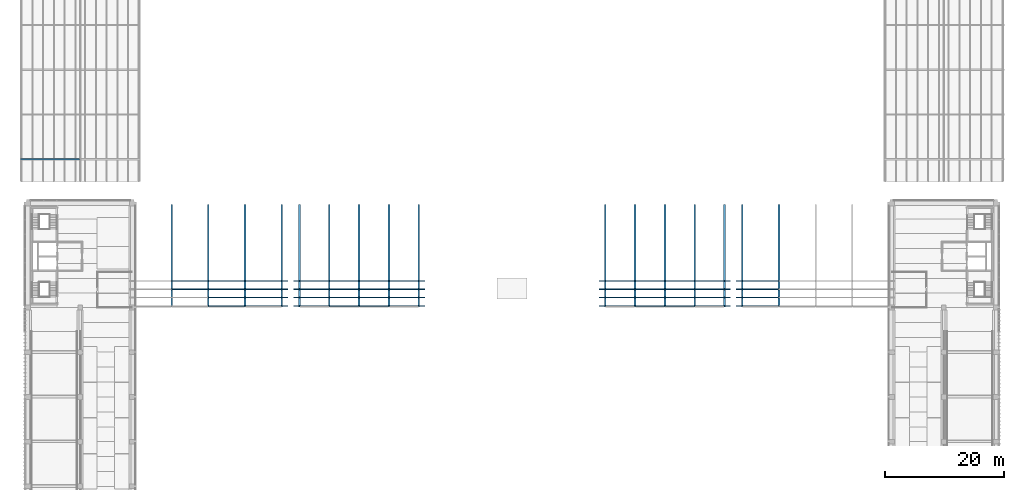
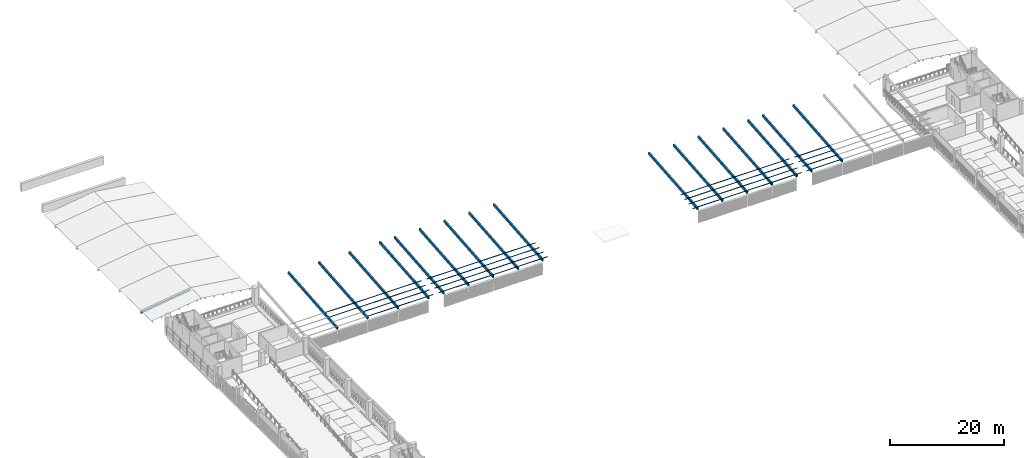
# One storey, part 6 of 52: 63 members.
"""IFC4 building model written with IfcOpenShell, lengths in metres."""

from ifc_helpers import new_model, si_unit, direction, frame, origin, origin_2d, place, context, subcontext, project, spatial, hollow_rectangle, extrude, material, material_profile, profile_set, type_object, element, save


model = new_model("IFC4")

# Units and contexts
model_context = context("Model", 3, precision=1e-05, world=origin(), true_north=direction((0.0, 1.0)))
body_context = subcontext(model_context, "Body", "Model", "MODEL_VIEW")
ifc_project = project(units=[si_unit("LENGTHUNIT", "METRE"), si_unit("AREAUNIT", "SQUARE_METRE"), si_unit("VOLUMEUNIT", "CUBIC_METRE"), si_unit("PLANEANGLEUNIT", "RADIAN"), si_unit("MASSUNIT", "GRAM", prefix="KILO")], contexts=[model_context])

# Site, building, storey
site_placement = place(None, origin())
site = spatial("IfcSite", under=ifc_project, at=site_placement, CompositionType="ELEMENT")
building_placement = place(site_placement, origin())
building = spatial("IfcBuilding", under=site, at=building_placement, Name="Cour d'Honneur Mobility Palace", CompositionType="ELEMENT")
storey_placement = place(building_placement, frame((0.0, 0.0, 23.0)))
storey = spatial("IfcBuildingStorey", under=building, at=storey_placement, Name="L06", CompositionType="ELEMENT", Elevation=23.0)

# Members
ifc_material_1 = material(Name="Steel S355", Category="steel")
ifc_material_profile_1 = material_profile(ifc_material_1, hollow_rectangle(XDim=0.10009765625, YDim=0.14990234375, WallThickness=0.00634765625, at=origin_2d()), Name="RHS 150x100x6.3")
ifc_profile_set_1 = profile_set([ifc_material_profile_1], Name="Steel S355")
member_type_1 = type_object("IfcMemberType", Name="Pergola purlin RHS 150x100x6.3", PredefinedType="PURLIN", material=ifc_profile_set_1)
member_1_placement = place(storey_placement, frame((30.199951171875, 45.2548828125, 3.388671875), z_axis=(1.0, 0.0, 0.0), x_axis=(0.0, 0.996196869991, 0.08713091426)))
element("IfcMember", 1, at=member_1_placement, inside=storey, type_object=member_type_1, Name="Pergola purlin FW-1.3", PredefinedType="PURLIN", context=body_context, shape_type="SweptSolid", body=[
    extrude(hollow_rectangle(XDim=0.10009765625, YDim=0.14990234375, WallThickness=0.00634765625, at=origin_2d()), origin(), (0.0, 0.0, 1.0), 6.150146484375),
])
member_2_placement = place(storey_placement, frame((36.35009765625, 45.2548828125, 3.388671875), z_axis=(1.0, 0.0, 0.0), x_axis=(0.0, 0.996196869991, 0.08713091426)))
element("IfcMember", 2, at=member_2_placement, inside=storey, type_object=member_type_1, Name="Pergola purlin FW-1.4", PredefinedType="PURLIN", context=body_context, shape_type="SweptSolid", body=[
    extrude(hollow_rectangle(XDim=0.10009765625, YDim=0.14990234375, WallThickness=0.00634765625, at=origin_2d()), origin(), (0.0, 0.0, 1.0), 7.14990234375),
])
member_3_placement = place(storey_placement, frame((30.199951171875, 46.66259765625, 3.51171875), z_axis=(1.0, 0.0, 0.0), x_axis=(0.0, 0.996196869991, 0.08713091426)))
element("IfcMember", 3, at=member_3_placement, inside=storey, type_object=member_type_1, Name="Pergola purlin FW-2.3", PredefinedType="PURLIN", context=body_context, shape_type="SweptSolid", body=[
    extrude(hollow_rectangle(XDim=0.10009765625, YDim=0.14990234375, WallThickness=0.00634765625, at=origin_2d()), origin(), (0.0, 0.0, 1.0), 6.150146484375),
])
member_4_placement = place(storey_placement, frame((36.35009765625, 46.66259765625, 3.51171875), z_axis=(1.0, 0.0, 0.0), x_axis=(0.0, 0.996196869991, 0.08713091426)))
element("IfcMember", 4, at=member_4_placement, inside=storey, type_object=member_type_1, Name="Pergola purlin FW-2.4", PredefinedType="PURLIN", context=body_context, shape_type="SweptSolid", body=[
    extrude(hollow_rectangle(XDim=0.10009765625, YDim=0.14990234375, WallThickness=0.00634765625, at=origin_2d()), origin(), (0.0, 0.0, 1.0), 7.14990234375),
])
member_5_placement = place(storey_placement, frame((24.050048828125, 48.070068359375, 3.634765625), z_axis=(1.0, 0.0, 0.0), x_axis=(0.0, 0.996196869991, 0.08713091426)))
element("IfcMember", 5, at=member_5_placement, inside=storey, type_object=member_type_1, Name="Pergola purlin FW-3.2", PredefinedType="PURLIN", context=body_context, shape_type="SweptSolid", body=[
    extrude(hollow_rectangle(XDim=0.10009765625, YDim=0.14990234375, WallThickness=0.00634765625, at=origin_2d()), origin(), (0.0, 0.0, 1.0), 6.14990234375),
])
member_6_placement = place(storey_placement, frame((30.199951171875, 48.070068359375, 3.634765625), z_axis=(1.0, 0.0, 0.0), x_axis=(0.0, 0.996196869991, 0.08713091426)))
element("IfcMember", 6, at=member_6_placement, inside=storey, type_object=member_type_1, Name="Pergola purlin FW-3.3", PredefinedType="PURLIN", context=body_context, shape_type="SweptSolid", body=[
    extrude(hollow_rectangle(XDim=0.10009765625, YDim=0.14990234375, WallThickness=0.00634765625, at=origin_2d()), origin(), (0.0, 0.0, 1.0), 6.150146484375),
])
member_7_placement = place(storey_placement, frame((36.35009765625, 48.070068359375, 3.634765625), z_axis=(1.0, 0.0, 0.0), x_axis=(0.0, 0.996196869991, 0.08713091426)))
element("IfcMember", 7, at=member_7_placement, inside=storey, type_object=member_type_1, Name="Pergola purlin FW-3.4", PredefinedType="PURLIN", context=body_context, shape_type="SweptSolid", body=[
    extrude(hollow_rectangle(XDim=0.10009765625, YDim=0.14990234375, WallThickness=0.00634765625, at=origin_2d()), origin(), (0.0, 0.0, 1.0), 7.14990234375),
])
member_8_placement = place(storey_placement, frame((24.050048828125, 49.4775390625, 3.7578125), z_axis=(1.0, 0.0, 0.0), x_axis=(0.0, 0.996196869991, 0.08713091426)))
element("IfcMember", 8, at=member_8_placement, inside=storey, type_object=member_type_1, Name="Pergola purlin FW-4.2", PredefinedType="PURLIN", context=body_context, shape_type="SweptSolid", body=[
    extrude(hollow_rectangle(XDim=0.10009765625, YDim=0.14990234375, WallThickness=0.00634765625, at=origin_2d()), origin(), (0.0, 0.0, 1.0), 6.14990234375),
])
member_9_placement = place(storey_placement, frame((30.199951171875, 49.4775390625, 3.7578125), z_axis=(1.0, 0.0, 0.0), x_axis=(0.0, 0.996196869991, 0.08713091426)))
element("IfcMember", 9, at=member_9_placement, inside=storey, type_object=member_type_1, Name="Pergola purlin FW-4.3", PredefinedType="PURLIN", context=body_context, shape_type="SweptSolid", body=[
    extrude(hollow_rectangle(XDim=0.10009765625, YDim=0.14990234375, WallThickness=0.00634765625, at=origin_2d()), origin(), (0.0, 0.0, 1.0), 6.150146484375),
])
member_10_placement = place(storey_placement, frame((36.35009765625, 49.4775390625, 3.7578125), z_axis=(1.0, 0.0, 0.0), x_axis=(0.0, 0.996196869991, 0.08713091426)))
element("IfcMember", 10, at=member_10_placement, inside=storey, type_object=member_type_1, Name="Pergola purlin FW-4.4", PredefinedType="PURLIN", context=body_context, shape_type="SweptSolid", body=[
    extrude(hollow_rectangle(XDim=0.10009765625, YDim=0.14990234375, WallThickness=0.00634765625, at=origin_2d()), origin(), (0.0, 0.0, 1.0), 7.14990234375),
])
member_11_placement = place(storey_placement, frame((44.5, 45.2548828125, 3.388671875), z_axis=(1.0, 0.0, 0.0), x_axis=(0.0, 0.996196869991, 0.08713091426)))
element("IfcMember", 11, at=member_11_placement, inside=storey, type_object=member_type_1, Name="Pergola purlin PW-1.1", PredefinedType="PURLIN", context=body_context, shape_type="SweptSolid", body=[
    extrude(hollow_rectangle(XDim=0.10009765625, YDim=0.14990234375, WallThickness=0.00634765625, at=origin_2d()), origin(), (0.0, 0.0, 1.0), 6.0),
])
for number, where, z_axis, x_axis, name in (
    (12, (50.5, 45.2548828125, 3.388671875), (1.0, 0.0, 0.0), (0.0, 0.996196869991, 0.08713091426), "Pergola purlin PW-1.2"),
    (13, (55.5, 45.2548828125, 3.388671875), (1.0, 0.0, 0.0), (0.0, 0.996196869991, 0.08713091426), "Pergola purlin PW-1.3"),
):
    element("IfcMember", number, at=place(storey_placement, frame(where, z_axis=z_axis, x_axis=x_axis)), inside=storey, type_object=member_type_1, Name=name, PredefinedType="PURLIN", context=body_context, shape_type="SweptSolid", body=[
        extrude(hollow_rectangle(XDim=0.10009765625, YDim=0.14990234375, WallThickness=0.00634765625, at=origin_2d()), origin(), (0.0, 0.0, 1.0), 5.0),
    ])
for number, where, z_axis, x_axis, name in (
    (14, (60.5, 45.2548828125, 3.388671875), (1.0, 0.0, 0.0), (0.0, 0.996196869991, 0.08713091426), "Pergola purlin PW-1.4"),
    (15, (44.5, 46.66259765625, 3.51171875), (1.0, 0.0, 0.0), (0.0, 0.996196869991, 0.08713091426), "Pergola purlin PW-2.1"),
):
    element("IfcMember", number, at=place(storey_placement, frame(where, z_axis=z_axis, x_axis=x_axis)), inside=storey, type_object=member_type_1, Name=name, PredefinedType="PURLIN", context=body_context, shape_type="SweptSolid", body=[
        extrude(hollow_rectangle(XDim=0.10009765625, YDim=0.14990234375, WallThickness=0.00634765625, at=origin_2d()), origin(), (0.0, 0.0, 1.0), 6.0),
    ])
for number, where, z_axis, x_axis, name in (
    (16, (50.5, 46.66259765625, 3.51171875), (1.0, 0.0, 0.0), (0.0, 0.996196869991, 0.08713091426), "Pergola purlin PW-2.2"),
    (17, (55.5, 46.66259765625, 3.51171875), (1.0, 0.0, 0.0), (0.0, 0.996196869991, 0.08713091426), "Pergola purlin PW-2.3"),
):
    element("IfcMember", number, at=place(storey_placement, frame(where, z_axis=z_axis, x_axis=x_axis)), inside=storey, type_object=member_type_1, Name=name, PredefinedType="PURLIN", context=body_context, shape_type="SweptSolid", body=[
        extrude(hollow_rectangle(XDim=0.10009765625, YDim=0.14990234375, WallThickness=0.00634765625, at=origin_2d()), origin(), (0.0, 0.0, 1.0), 5.0),
    ])
for number, where, z_axis, x_axis, name in (
    (18, (60.5, 46.66259765625, 3.51171875), (1.0, 0.0, 0.0), (0.0, 0.996196869991, 0.08713091426), "Pergola purlin PW-2.4"),
    (19, (44.5, 48.070068359375, 3.634765625), (1.0, 0.0, 0.0), (0.0, 0.996196869991, 0.08713091426), "Pergola purlin PW-3.1"),
):
    element("IfcMember", number, at=place(storey_placement, frame(where, z_axis=z_axis, x_axis=x_axis)), inside=storey, type_object=member_type_1, Name=name, PredefinedType="PURLIN", context=body_context, shape_type="SweptSolid", body=[
        extrude(hollow_rectangle(XDim=0.10009765625, YDim=0.14990234375, WallThickness=0.00634765625, at=origin_2d()), origin(), (0.0, 0.0, 1.0), 6.0),
    ])
for number, where, z_axis, x_axis, name in (
    (20, (50.5, 48.070068359375, 3.634765625), (1.0, 0.0, 0.0), (0.0, 0.996196869991, 0.08713091426), "Pergola purlin PW-3.2"),
    (21, (55.5, 48.070068359375, 3.634765625), (1.0, 0.0, 0.0), (0.0, 0.996196869991, 0.08713091426), "Pergola purlin PW-3.3"),
):
    element("IfcMember", number, at=place(storey_placement, frame(where, z_axis=z_axis, x_axis=x_axis)), inside=storey, type_object=member_type_1, Name=name, PredefinedType="PURLIN", context=body_context, shape_type="SweptSolid", body=[
        extrude(hollow_rectangle(XDim=0.10009765625, YDim=0.14990234375, WallThickness=0.00634765625, at=origin_2d()), origin(), (0.0, 0.0, 1.0), 5.0),
    ])
for number, where, z_axis, x_axis, name in (
    (22, (60.5, 48.070068359375, 3.634765625), (1.0, 0.0, 0.0), (0.0, 0.996196869991, 0.08713091426), "Pergola purlin PW-3.4"),
    (23, (44.5, 49.4775390625, 3.7578125), (1.0, 0.0, 0.0), (0.0, 0.996196869991, 0.08713091426), "Pergola purlin PW-4.1"),
):
    element("IfcMember", number, at=place(storey_placement, frame(where, z_axis=z_axis, x_axis=x_axis)), inside=storey, type_object=member_type_1, Name=name, PredefinedType="PURLIN", context=body_context, shape_type="SweptSolid", body=[
        extrude(hollow_rectangle(XDim=0.10009765625, YDim=0.14990234375, WallThickness=0.00634765625, at=origin_2d()), origin(), (0.0, 0.0, 1.0), 6.0),
    ])
for number, where, z_axis, x_axis, name in (
    (24, (50.5, 49.4775390625, 3.7578125), (1.0, 0.0, 0.0), (0.0, 0.996196869991, 0.08713091426), "Pergola purlin PW-4.2"),
    (25, (55.5, 49.4775390625, 3.7578125), (1.0, 0.0, 0.0), (0.0, 0.996196869991, 0.08713091426), "Pergola purlin PW-4.3"),
):
    element("IfcMember", number, at=place(storey_placement, frame(where, z_axis=z_axis, x_axis=x_axis)), inside=storey, type_object=member_type_1, Name=name, PredefinedType="PURLIN", context=body_context, shape_type="SweptSolid", body=[
        extrude(hollow_rectangle(XDim=0.10009765625, YDim=0.14990234375, WallThickness=0.00634765625, at=origin_2d()), origin(), (0.0, 0.0, 1.0), 5.0),
    ])
member_12_placement = place(storey_placement, frame((60.5, 49.4775390625, 3.7578125), z_axis=(1.0, 0.0, 0.0), x_axis=(0.0, 0.996196869991, 0.08713091426)))
element("IfcMember", 26, at=member_12_placement, inside=storey, type_object=member_type_1, Name="Pergola purlin PW-4.4", PredefinedType="PURLIN", context=body_context, shape_type="SweptSolid", body=[
    extrude(hollow_rectangle(XDim=0.10009765625, YDim=0.14990234375, WallThickness=0.00634765625, at=origin_2d()), origin(), (0.0, 0.0, 1.0), 6.0),
])
for number, where, z_axis, x_axis, name in (
    (27, (118.800048828125, 45.2548828125, 3.388671875), (1.0, 0.0, 0.0), (0.0, 0.996196869991, 0.08713091426), "Pergola purlin FE-1.1"),
    (28, (118.800048828125, 46.66259765625, 3.51171875), (1.0, 0.0, 0.0), (0.0, 0.996196869991, 0.08713091426), "Pergola purlin FE-2.1"),
    (29, (118.800048828125, 48.070068359375, 3.634765625), (1.0, 0.0, 0.0), (0.0, 0.996196869991, 0.08713091426), "Pergola purlin FE-3.1"),
    (30, (118.800048828125, 49.4775390625, 3.7578125), (1.0, 0.0, 0.0), (0.0, 0.996196869991, 0.08713091426), "Pergola purlin FE-4.1"),
):
    element("IfcMember", number, at=place(storey_placement, frame(where, z_axis=z_axis, x_axis=x_axis)), inside=storey, type_object=member_type_1, Name=name, PredefinedType="PURLIN", context=body_context, shape_type="SweptSolid", body=[
        extrude(hollow_rectangle(XDim=0.10009765625, YDim=0.14990234375, WallThickness=0.00634765625, at=origin_2d()), origin(), (0.0, 0.0, 1.0), 7.14990234375),
    ])
member_13_placement = place(storey_placement, frame((95.800048828125, 45.2548828125, 3.388671875), z_axis=(1.0, 0.0, 0.0), x_axis=(0.0, 0.996196869991, 0.08713091426)))
element("IfcMember", 31, at=member_13_placement, inside=storey, type_object=member_type_1, Name="Pergola purlin PE-1.1", PredefinedType="PURLIN", context=body_context, shape_type="SweptSolid", body=[
    extrude(hollow_rectangle(XDim=0.10009765625, YDim=0.14990234375, WallThickness=0.00634765625, at=origin_2d()), origin(), (0.0, 0.0, 1.0), 6.0),
])
for number, where, z_axis, x_axis, name in (
    (32, (101.800048828125, 45.2548828125, 3.388671875), (1.0, 0.0, 0.0), (0.0, 0.996196869991, 0.08713091426), "Pergola purlin PE-1.2"),
    (33, (106.800048828125, 45.2548828125, 3.388671875), (1.0, 0.0, 0.0), (0.0, 0.996196869991, 0.08713091426), "Pergola purlin PE-1.3"),
):
    element("IfcMember", number, at=place(storey_placement, frame(where, z_axis=z_axis, x_axis=x_axis)), inside=storey, type_object=member_type_1, Name=name, PredefinedType="PURLIN", context=body_context, shape_type="SweptSolid", body=[
        extrude(hollow_rectangle(XDim=0.10009765625, YDim=0.14990234375, WallThickness=0.00634765625, at=origin_2d()), origin(), (0.0, 0.0, 1.0), 5.0),
    ])
for number, where, z_axis, x_axis, name in (
    (34, (111.800048828125, 45.2548828125, 3.388671875), (1.0, 0.0, 0.0), (0.0, 0.996196869991, 0.08713091426), "Pergola purlin PE-1.4"),
    (35, (95.800048828125, 46.66259765625, 3.51171875), (1.0, 0.0, 0.0), (0.0, 0.996196869991, 0.08713091426), "Pergola purlin PE-2.1"),
):
    element("IfcMember", number, at=place(storey_placement, frame(where, z_axis=z_axis, x_axis=x_axis)), inside=storey, type_object=member_type_1, Name=name, PredefinedType="PURLIN", context=body_context, shape_type="SweptSolid", body=[
        extrude(hollow_rectangle(XDim=0.10009765625, YDim=0.14990234375, WallThickness=0.00634765625, at=origin_2d()), origin(), (0.0, 0.0, 1.0), 6.0),
    ])
for number, where, z_axis, x_axis, name in (
    (36, (101.800048828125, 46.66259765625, 3.51171875), (1.0, 0.0, 0.0), (0.0, 0.996196869991, 0.08713091426), "Pergola purlin PE-2.2"),
    (37, (106.800048828125, 46.66259765625, 3.51171875), (1.0, 0.0, 0.0), (0.0, 0.996196869991, 0.08713091426), "Pergola purlin PE-2.3"),
):
    element("IfcMember", number, at=place(storey_placement, frame(where, z_axis=z_axis, x_axis=x_axis)), inside=storey, type_object=member_type_1, Name=name, PredefinedType="PURLIN", context=body_context, shape_type="SweptSolid", body=[
        extrude(hollow_rectangle(XDim=0.10009765625, YDim=0.14990234375, WallThickness=0.00634765625, at=origin_2d()), origin(), (0.0, 0.0, 1.0), 5.0),
    ])
for number, where, z_axis, x_axis, name in (
    (38, (111.800048828125, 46.66259765625, 3.51171875), (1.0, 0.0, 0.0), (0.0, 0.996196869991, 0.08713091426), "Pergola purlin PE-2.4"),
    (39, (95.800048828125, 48.070068359375, 3.634765625), (1.0, 0.0, 0.0), (0.0, 0.996196869991, 0.08713091426), "Pergola purlin PE-3.1"),
):
    element("IfcMember", number, at=place(storey_placement, frame(where, z_axis=z_axis, x_axis=x_axis)), inside=storey, type_object=member_type_1, Name=name, PredefinedType="PURLIN", context=body_context, shape_type="SweptSolid", body=[
        extrude(hollow_rectangle(XDim=0.10009765625, YDim=0.14990234375, WallThickness=0.00634765625, at=origin_2d()), origin(), (0.0, 0.0, 1.0), 6.0),
    ])
for number, where, z_axis, x_axis, name in (
    (40, (101.800048828125, 48.070068359375, 3.634765625), (1.0, 0.0, 0.0), (0.0, 0.996196869991, 0.08713091426), "Pergola purlin PE-3.2"),
    (41, (106.800048828125, 48.070068359375, 3.634765625), (1.0, 0.0, 0.0), (0.0, 0.996196869991, 0.08713091426), "Pergola purlin PE-3.3"),
):
    element("IfcMember", number, at=place(storey_placement, frame(where, z_axis=z_axis, x_axis=x_axis)), inside=storey, type_object=member_type_1, Name=name, PredefinedType="PURLIN", context=body_context, shape_type="SweptSolid", body=[
        extrude(hollow_rectangle(XDim=0.10009765625, YDim=0.14990234375, WallThickness=0.00634765625, at=origin_2d()), origin(), (0.0, 0.0, 1.0), 5.0),
    ])
for number, where, z_axis, x_axis, name in (
    (42, (111.800048828125, 48.070068359375, 3.634765625), (1.0, 0.0, 0.0), (0.0, 0.996196869991, 0.08713091426), "Pergola purlin PE-3.4"),
    (43, (95.800048828125, 49.4775390625, 3.7578125), (1.0, 0.0, 0.0), (0.0, 0.996196869991, 0.08713091426), "Pergola purlin PE-4.1"),
):
    element("IfcMember", number, at=place(storey_placement, frame(where, z_axis=z_axis, x_axis=x_axis)), inside=storey, type_object=member_type_1, Name=name, PredefinedType="PURLIN", context=body_context, shape_type="SweptSolid", body=[
        extrude(hollow_rectangle(XDim=0.10009765625, YDim=0.14990234375, WallThickness=0.00634765625, at=origin_2d()), origin(), (0.0, 0.0, 1.0), 6.0),
    ])
for number, where, z_axis, x_axis, name in (
    (44, (101.800048828125, 49.4775390625, 3.7578125), (1.0, 0.0, 0.0), (0.0, 0.996196869991, 0.08713091426), "Pergola purlin PE-4.2"),
    (45, (106.800048828125, 49.4775390625, 3.7578125), (1.0, 0.0, 0.0), (0.0, 0.996196869991, 0.08713091426), "Pergola purlin PE-4.3"),
):
    element("IfcMember", number, at=place(storey_placement, frame(where, z_axis=z_axis, x_axis=x_axis)), inside=storey, type_object=member_type_1, Name=name, PredefinedType="PURLIN", context=body_context, shape_type="SweptSolid", body=[
        extrude(hollow_rectangle(XDim=0.10009765625, YDim=0.14990234375, WallThickness=0.00634765625, at=origin_2d()), origin(), (0.0, 0.0, 1.0), 5.0),
    ])
member_14_placement = place(storey_placement, frame((111.800048828125, 49.4775390625, 3.7578125), z_axis=(1.0, 0.0, 0.0), x_axis=(0.0, 0.996196869991, 0.08713091426)))
element("IfcMember", 46, at=member_14_placement, inside=storey, type_object=member_type_1, Name="Pergola purlin PE-4.4", PredefinedType="PURLIN", context=body_context, shape_type="SweptSolid", body=[
    extrude(hollow_rectangle(XDim=0.10009765625, YDim=0.14990234375, WallThickness=0.00634765625, at=origin_2d()), origin(), (0.0, 0.0, 1.0), 6.0),
])
ifc_material_2 = material(Name="Steel S355", Category="steel")
ifc_material_profile_2 = material_profile(ifc_material_2, hollow_rectangle(XDim=0.300048828125, YDim=0.5, WallThickness=0.01611328125, at=origin_2d()), Name="RHS 500x300x16")
ifc_profile_set_2 = profile_set([ifc_material_profile_2], Name="Steel S355")
member_type_2 = type_object("IfcMemberType", Name="Pergola rafter RHS 500x300x16", PredefinedType="RAFTER", material=ifc_profile_set_2)
for number, where, z_axis, x_axis, name in (
    (47, (24.050048828125, 45.125, 3.051025390625), (0.0, 0.996196826291, 0.087131413899), (-1.0, 0.0, 0.0), "Pergola rafter FW-2"),
    (48, (30.199951171875, 45.125, 3.051025390625), (0.0, 0.996196826291, 0.087131413899), (-1.0, 0.0, 0.0), "Pergola rafter FW-3"),
    (49, (36.35009765625, 45.125, 3.051025390625), (0.0, 0.996196826291, 0.087131413899), (-1.0, 0.0, 0.0), "Pergola rafter FW-4"),
    (50, (42.5, 45.125, 3.051025390625), (0.0, 0.996196826291, 0.087131413899), (-1.0, 0.0, 0.0), "Pergola rafter FW-5"),
    (51, (45.5, 45.125, 3.051025390625), (0.0, 0.996196826291, 0.087131413899), (-1.0, 0.0, 0.0), "Pergola rafter PW-1"),
    (52, (50.5, 45.125, 3.051025390625), (0.0, 0.996196826291, 0.087131413899), (-1.0, 0.0, 0.0), "Pergola rafter PW-2"),
    (53, (55.5, 45.125, 3.051025390625), (0.0, 0.996196826291, 0.087131413899), (-1.0, 0.0, 0.0), "Pergola rafter PW-3"),
    (54, (60.5, 45.125, 3.051025390625), (0.0, 0.996196826291, 0.087131413899), (-1.0, 0.0, 0.0), "Pergola rafter PW-4"),
    (55, (65.5, 45.125, 3.051025390625), (0.0, 0.996196826291, 0.087131413899), (-1.0, 0.0, 0.0), "Pergola rafter PW-5"),
    (56, (119.800048828125, 45.125, 3.051025390625), (0.0, 0.996196826291, 0.087131413899), (-1.0, 0.0, 0.0), "Pergola rafter FE-1"),
    (57, (125.949951171875, 45.125, 3.051025390625), (0.0, 0.996196826291, 0.087131413899), (-1.0, 0.0, 0.0), "Pergola rafter FE-2"),
    (58, (96.800048828125, 45.125, 3.051025390625), (0.0, 0.996196826291, 0.087131413899), (-1.0, 0.0, 0.0), "Pergola rafter PE-1"),
    (59, (101.800048828125, 45.125, 3.051025390625), (0.0, 0.996196826291, 0.087131413899), (-1.0, 0.0, 0.0), "Pergola rafter PE-2"),
    (60, (106.800048828125, 45.125, 3.051025390625), (0.0, 0.996196826291, 0.087131413899), (-1.0, 0.0, 0.0), "Pergola rafter PE-3"),
    (61, (111.800048828125, 45.125, 3.051025390625), (0.0, 0.996196826291, 0.087131413899), (-1.0, 0.0, 0.0), "Pergola rafter PE-4"),
    (62, (116.800048828125, 45.125, 3.051025390625), (0.0, 0.996196826291, 0.087131413899), (-1.0, 0.0, 0.0), "Pergola rafter PE-5"),
):
    element("IfcMember", number, at=place(storey_placement, frame(where, z_axis=z_axis, x_axis=x_axis)), inside=storey, type_object=member_type_2, Name=name, PredefinedType="RAFTER", context=body_context, shape_type="SweptSolid", body=[
        extrude(hollow_rectangle(XDim=0.300048828125, YDim=0.5, WallThickness=0.01611328125, at=origin_2d()), origin(), (0.0, 0.0, 1.0), 17.21533203125),
    ])
ifc_material_3 = material(Name="Steel S355", Category="steel")
ifc_material_profile_3 = material_profile(ifc_material_3, hollow_rectangle(XDim=0.199951171875, YDim=0.300048828125, WallThickness=0.012451171875, at=origin_2d()), Name="RHS 300x200x12.5")
ifc_profile_set_3 = profile_set([ifc_material_profile_3], Name="Steel S355")
member_type_3 = type_object("IfcMemberType", Name="Terrace rafter RHS 300x200x12.5", PredefinedType="RAFTER", material=ifc_profile_set_3)
member_15_placement = place(storey_placement, frame((-1.375, 69.89990234375, 0.241455078125), z_axis=(0.990349712833, 0.0, 0.138590931493), x_axis=(0.0, 1.0, 0.0)))
element("IfcMember", 63, at=member_15_placement, inside=storey, type_object=member_type_3, Name="Terrace rafter TF-C1W", PredefinedType="RAFTER", context=body_context, shape_type="SweptSolid", body=[
    extrude(hollow_rectangle(XDim=0.199951171875, YDim=0.300048828125, WallThickness=0.012451171875, at=origin_2d()), origin(), (0.0, 0.0, 1.0), 10.097412109375),
])

save(model, "model.ifc")
